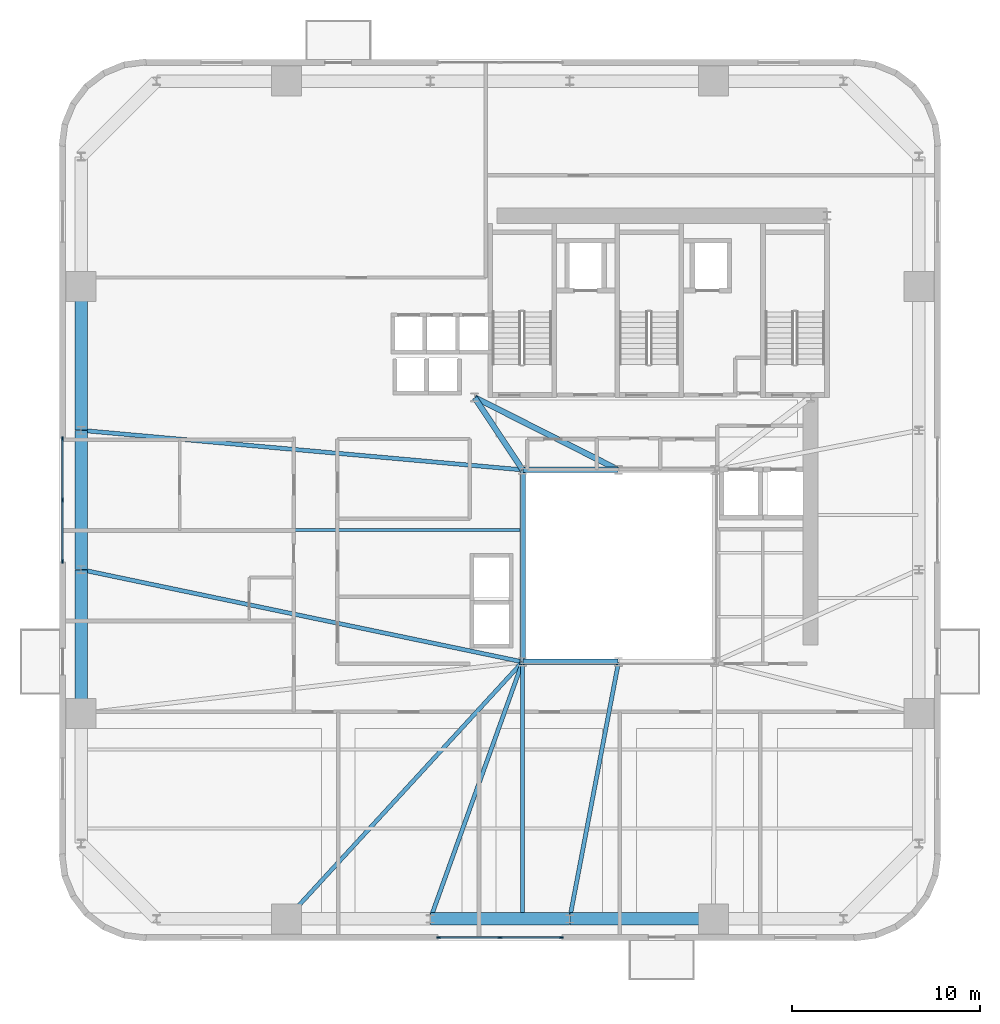
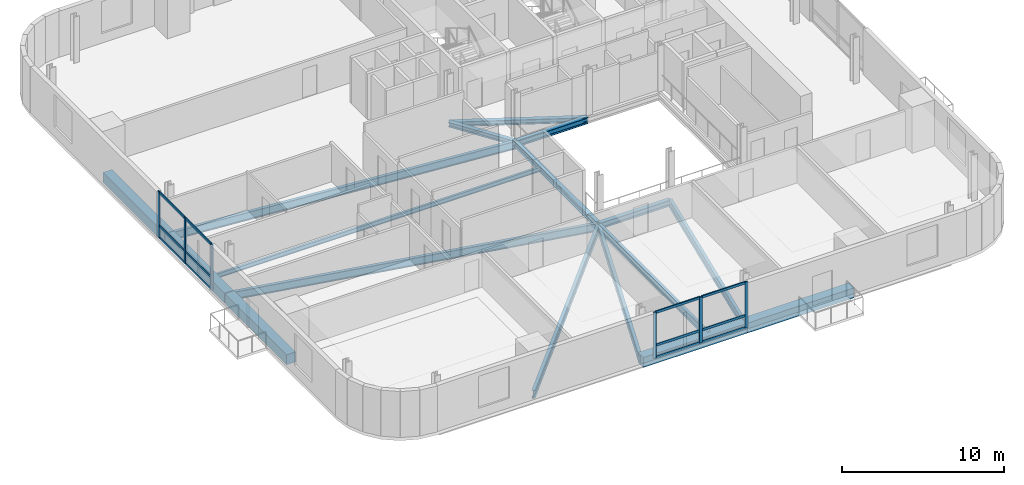
# One storey, part 2 of 13: 18 members, 17 beams, 2 elements without a shape of their own.
"""IFC4 building model written with IfcOpenShell, lengths in metres."""

from ifc_helpers import new_model, si_unit, direction, frame, origin, origin_2d, place, context, subcontext, project, spatial, rectangle, i_section, extrude, source, transform, mapped, material, material_profile, profile_set, type_object, element, aggregate, save


model = new_model("IFC4")

# Units and contexts
model_context = context("Model", 3, precision=1e-05, world=origin(), true_north=direction((0.0, 1.0)))
body_context = subcontext(model_context, "Body", "Model", "MODEL_VIEW")
ifc_project = project(units=[si_unit("LENGTHUNIT", "METRE"), si_unit("AREAUNIT", "SQUARE_METRE"), si_unit("VOLUMEUNIT", "CUBIC_METRE"), si_unit("PLANEANGLEUNIT", "RADIAN"), si_unit("MASSUNIT", "GRAM", prefix="KILO")], contexts=[model_context])

# Site, building, storey
site_placement = place(None, origin())
site = spatial("IfcSite", under=ifc_project, at=site_placement, CompositionType="ELEMENT")
building_placement = place(site_placement, origin())
building = spatial("IfcBuilding", under=site, at=building_placement, Name="Vardaveli Station Tower", CompositionType="ELEMENT")
storey_placement = place(building_placement, frame((0.0, 0.0, 115.0)))
storey = spatial("IfcBuildingStorey", under=building, at=storey_placement, Name="L29", CompositionType="ELEMENT", Elevation=115.0)

# Beams
ifc_material_1 = material(Name="Structural steel S355J2", Category="steel")
ifc_material_profile_1 = material_profile(ifc_material_1, i_section(OverallWidth=0.300048828125, OverallDepth=0.449951171875, WebThickness=0.013916015625, FlangeThickness=0.02587890625, FilletRadius=0.027099609375, at=origin_2d()), Name="HEB 450")
ifc_profile_set_1 = profile_set([ifc_material_profile_1], Name="Structural steel S355J2")
beam_type_1 = type_object("IfcBeamType", Name="BM-HEB450", PredefinedType="BEAM", material=ifc_profile_set_1)
shared_shape_1 = source(origin(), body_context, "Body", "SweptSolid", [
    extrude(i_section(OverallWidth=0.300048828125, OverallDepth=0.449951171875, WebThickness=0.013916015625, FlangeThickness=0.02587890625, FilletRadius=0.027099609375, at=origin_2d()), origin(), (0.0, 0.0, 1.0), 5.06005859375),
])
for number, where, z_axis, x_axis, name in (
    (1, (31.219970703125, 16.60009765625, -0.465087890625), (1.0, 0.0, 0.0), (0.0, 1.0, 0.0), "ABM-L29-01"),
    (2, (36.280029296875, 26.800048828125, -0.465087890625), (-1.0, 0.0, 0.0), (0.0, -1.0, 0.0), "ABM-L29-05"),
):
    element("IfcBeam", number, at=place(storey_placement, frame(where, z_axis=z_axis, x_axis=x_axis)), inside=storey, type_object=beam_type_1, Name=name, PredefinedType="BEAM", context=body_context, shape_type="MappedRepresentation", body=[
        mapped(shared_shape_1, transform((0.0, 0.0, 0.0), scale=1.0)),
    ])
shared_shape_2 = source(origin(), body_context, "Body", "SweptSolid", [
    extrude(i_section(OverallWidth=0.300048828125, OverallDepth=0.449951171875, WebThickness=0.013916015625, FlangeThickness=0.02587890625, FilletRadius=0.027099609375, at=origin_2d()), origin(), (0.0, 0.0, 1.0), 10.159912109375),
])
beam_1_placement = place(storey_placement, frame((31.199951171875, 26.780029296875, -0.465087890625), z_axis=(0.0, -1.0, 0.0), x_axis=(1.0, 0.0, 0.0)))
element("IfcBeam", 3, at=beam_1_placement, inside=storey, type_object=beam_type_1, Name="ABM-L29-06", PredefinedType="BEAM", context=body_context, shape_type="MappedRepresentation", body=[
    mapped(shared_shape_2, transform((0.0, 0.0, 0.0), scale=1.0)),
])
ifc_material_profile_2 = material_profile(ifc_material_1, i_section(OverallWidth=0.300048828125, OverallDepth=0.360107421875, WebThickness=0.012451171875, FlangeThickness=0.0224609375, FilletRadius=0.027099609375, at=origin_2d()), Name="HEB 360")
ifc_profile_set_2 = profile_set([ifc_material_profile_2], Name="Structural steel S355J2")
beam_type_2 = type_object("IfcBeamType", Name="BM-HEB360", PredefinedType="BEAM", material=ifc_profile_set_2)
shared_shape_3 = source(origin(), body_context, "Body", "SweptSolid", [
    extrude(i_section(OverallWidth=0.300048828125, OverallDepth=0.360107421875, WebThickness=0.012451171875, FlangeThickness=0.0224609375, FilletRadius=0.027099609375, at=origin_2d()), origin(), (0.0, 0.0, 1.0), 4.577880859375),
])
beam_2_placement = place(storey_placement, frame((31.18896484375, 26.816650390625, -0.419921875), z_axis=(-0.55218702139, 0.833720272879, 0.0), x_axis=(-0.833720272879, -0.55218702139, 0.0)))
element("IfcBeam", 4, at=beam_2_placement, inside=storey, type_object=beam_type_2, Name="CBM-L29-01", PredefinedType="BEAM", context=body_context, shape_type="MappedRepresentation", body=[
    mapped(shared_shape_3, transform((0.0, 0.0, 0.0), scale=1.0)),
])
shared_shape_4 = source(origin(), body_context, "Body", "SweptSolid", [
    extrude(i_section(OverallWidth=0.300048828125, OverallDepth=0.360107421875, WebThickness=0.012451171875, FlangeThickness=0.0224609375, FilletRadius=0.027099609375, at=origin_2d()), origin(), (0.0, 0.0, 1.0), 8.524169921875),
])
beam_3_placement = place(storey_placement, frame((28.66796875, 30.64111328125, -0.419921875), z_axis=(0.893255584708, -0.449549174605, 0.0), x_axis=(0.449549174605, 0.893255584708, 0.0)))
element("IfcBeam", 5, at=beam_3_placement, inside=storey, type_object=beam_type_2, Name="CBM-L29-03", PredefinedType="BEAM", context=body_context, shape_type="MappedRepresentation", body=[
    mapped(shared_shape_4, transform((0.0, 0.0, 0.0), scale=1.0)),
])
ifc_material_2 = material(Name="Precast concrete C45/55", Category="concrete")
ifc_material_profile_3 = material_profile(ifc_material_2, rectangle(XDim=0.64990234375, YDim=0.75, at=origin_2d()), Name="LPB 650x750")
ifc_profile_set_3 = profile_set([ifc_material_profile_3], Name="Precast concrete C45/55")
beam_type_3 = type_object("IfcBeamType", Name="BM-LPB-750", PredefinedType="BEAM", material=ifc_profile_set_3)
shared_shape_5 = source(origin(), body_context, "Body", "SweptSolid", [
    extrude(rectangle(XDim=0.64990234375, YDim=0.75, at=origin_2d()), origin(), (0.0, 0.0, 1.0), 7.60009765625),
])
for number, where, z_axis, x_axis, name in (
    (6, (33.719970703125, 2.949951171875, -0.614990234375), (1.0, 0.0, 0.0), (0.0, 1.0, 0.0), "RBM-L29-03"),
    (7, (7.75, 36.52001953125, -0.614990234375), (0.0, -1.0, 0.0), (1.0, 0.0, 0.0), "RBM-L29-19"),
    (8, (7.75, 21.47998046875, -0.614990234375), (0.0, -1.0, 0.0), (1.0, 0.0, 0.0), "RBM-L29-21"),
):
    element("IfcBeam", number, at=place(storey_placement, frame(where, z_axis=z_axis, x_axis=x_axis)), inside=storey, type_object=beam_type_3, Name=name, PredefinedType="BEAM", context=body_context, shape_type="MappedRepresentation", body=[
        mapped(shared_shape_5, transform((0.0, 0.0, 0.0), scale=1.0)),
    ])
shared_shape_6 = source(origin(), body_context, "Body", "SweptSolid", [
    extrude(rectangle(XDim=0.64990234375, YDim=0.75, at=origin_2d()), origin(), (0.0, 0.0, 1.0), 7.35986328125),
])
for number, where, z_axis, x_axis, name in (
    (9, (26.320068359375, 2.949951171875, -0.614990234375), (1.0, 0.0, 0.0), (0.0, 1.0, 0.0), "RBM-L29-02"),
    (10, (7.75, 28.8798828125, -0.614990234375), (0.0, -1.0, 0.0), (1.0, 0.0, 0.0), "RBM-L29-20"),
):
    element("IfcBeam", number, at=place(storey_placement, frame(where, z_axis=z_axis, x_axis=x_axis)), inside=storey, type_object=beam_type_3, Name=name, PredefinedType="BEAM", context=body_context, shape_type="MappedRepresentation", body=[
        mapped(shared_shape_6, transform((0.0, 0.0, 0.0), scale=1.0)),
    ])
ifc_material_profile_4 = material_profile(ifc_material_1, i_section(OverallWidth=0.2099609375, OverallDepth=0.550048828125, WebThickness=0.010986328125, FlangeThickness=0.01708984375, FilletRadius=0.02392578125, at=origin_2d()), Name="IPE 550")
ifc_profile_set_4 = profile_set([ifc_material_profile_4], Name="Structural steel S355J2")
beam_type_4 = type_object("IfcBeamType", Name="BM-IPE550", PredefinedType="BEAM", material=ifc_profile_set_4)
shared_shape_7 = source(origin(), body_context, "Body", "SweptSolid", [
    extrude(i_section(OverallWidth=0.2099609375, OverallDepth=0.550048828125, WebThickness=0.010986328125, FlangeThickness=0.01708984375, FilletRadius=0.02392578125, at=origin_2d()), origin(), (0.0, 0.0, 1.0), 13.469970703125),
])
beam_4_placement = place(storey_placement, frame((31.199951171875, 2.989990234375, -0.514892578125), z_axis=(0.0, 1.0, 0.0), x_axis=(-1.0, 0.0, 0.0)))
element("IfcBeam", 11, at=beam_4_placement, inside=storey, type_object=beam_type_4, Name="NSM-L29-S1", PredefinedType="BEAM", context=body_context, shape_type="MappedRepresentation", body=[
    mapped(shared_shape_7, transform((0.0, 0.0, 0.0), scale=1.0)),
])
ifc_material_profile_5 = material_profile(ifc_material_1, i_section(OverallWidth=0.159912109375, OverallDepth=0.330078125, WebThickness=0.007568359375, FlangeThickness=0.011474609375, FilletRadius=0.01806640625, at=origin_2d()), Name="IPE 330")
ifc_profile_set_5 = profile_set([ifc_material_profile_5], Name="Structural steel S355J2")
beam_type_5 = type_object("IfcBeamType", Name="BM-IPE330", PredefinedType="JOIST", material=ifc_profile_set_5)
shared_shape_8 = source(origin(), body_context, "Body", "SweptSolid", [
    extrude(i_section(OverallWidth=0.159912109375, OverallDepth=0.330078125, WebThickness=0.007568359375, FlangeThickness=0.011474609375, FilletRadius=0.01806640625, at=origin_2d()), origin(), (0.0, 0.0, 1.0), 23.2978515625),
])
beam_5_placement = place(storey_placement, frame((7.7900390625, 23.60009765625, -0.405029296875), z_axis=(1.0, 0.0, 0.0), x_axis=(0.0, 1.0, 0.0)))
element("IfcBeam", 12, at=beam_5_placement, inside=storey, type_object=beam_type_5, Name="SJ-L29-W06", PredefinedType="JOIST", context=body_context, shape_type="MappedRepresentation", body=[
    mapped(shared_shape_8, transform((0.0, 0.0, 0.0), scale=1.0)),
])
ifc_material_profile_6 = material_profile(ifc_material_1, i_section(OverallWidth=0.219970703125, OverallDepth=0.60009765625, WebThickness=0.011962890625, FlangeThickness=0.01904296875, FilletRadius=0.02392578125, at=origin_2d()), Name="IPE 600")
ifc_profile_set_6 = profile_set([ifc_material_profile_6], Name="Structural steel S355J2")
beam_type_6 = type_object("IfcBeamType", Name="BM-IPE600", PredefinedType="BEAM", material=ifc_profile_set_6)
shared_shape_9 = source(origin(), body_context, "Body", "SweptSolid", [
    extrude(i_section(OverallWidth=0.219970703125, OverallDepth=0.60009765625, WebThickness=0.011962890625, FlangeThickness=0.01904296875, FilletRadius=0.02392578125, at=origin_2d()), origin(), (0.0, 0.0, 1.0), 18.49560546875),
])
beam_6_placement = place(storey_placement, frame((18.673583984375, 2.96484375, -0.5400390625), z_axis=(0.676535341891, 0.736410165039, 0.0), x_axis=(-0.736410165039, 0.676535341891, 0.0)))
element("IfcBeam", 13, at=beam_6_placement, inside=storey, type_object=beam_type_6, Name="GBM-L29-01", PredefinedType="BEAM", context=body_context, shape_type="MappedRepresentation", body=[
    mapped(shared_shape_9, transform((0.0, 0.0, 0.0), scale=1.0)),
])
shared_shape_10 = source(origin(), body_context, "Body", "SweptSolid", [
    extrude(i_section(OverallWidth=0.219970703125, OverallDepth=0.60009765625, WebThickness=0.011962890625, FlangeThickness=0.01904296875, FilletRadius=0.02392578125, at=origin_2d()), origin(), (0.0, 0.0, 1.0), 14.462890625),
])
beam_7_placement = place(storey_placement, frame((26.306640625, 2.96875, -0.5400390625), z_axis=(0.337880090533, 0.941189165057, 0.0), x_axis=(-0.941189165057, 0.337880090533, 0.0)))
element("IfcBeam", 14, at=beam_7_placement, inside=storey, type_object=beam_type_6, Name="GBM-L29-02", PredefinedType="BEAM", context=body_context, shape_type="MappedRepresentation", body=[
    mapped(shared_shape_10, transform((0.0, 0.0, 0.0), scale=1.0)),
])
shared_shape_11 = source(origin(), body_context, "Body", "SweptSolid", [
    extrude(i_section(OverallWidth=0.219970703125, OverallDepth=0.60009765625, WebThickness=0.011962890625, FlangeThickness=0.01904296875, FilletRadius=0.02392578125, at=origin_2d()), origin(), (0.0, 0.0, 1.0), 13.855224609375),
])
beam_8_placement = place(storey_placement, frame((33.703857421875, 2.9697265625, -0.5400390625), z_axis=(0.187097533125, 0.982341342456, 0.0), x_axis=(-0.982341342456, 0.187097533125, 0.0)))
element("IfcBeam", 15, at=beam_8_placement, inside=storey, type_object=beam_type_6, Name="GBM-L29-03", PredefinedType="BEAM", context=body_context, shape_type="MappedRepresentation", body=[
    mapped(shared_shape_11, transform((0.0, 0.0, 0.0), scale=1.0)),
])
shared_shape_12 = source(origin(), body_context, "Body", "SweptSolid", [
    extrude(i_section(OverallWidth=0.219970703125, OverallDepth=0.60009765625, WebThickness=0.011962890625, FlangeThickness=0.01904296875, FilletRadius=0.02392578125, at=origin_2d()), origin(), (0.0, 0.0, 1.0), 23.50390625),
])
beam_9_placement = place(storey_placement, frame((7.77001953125, 28.898193359375, -0.5400390625), z_axis=(0.996014142198, -0.08919545135, 0.0), x_axis=(0.08919545135, 0.996014142198, 0.0)))
element("IfcBeam", 16, at=beam_9_placement, inside=storey, type_object=beam_type_6, Name="GBM-L29-08", PredefinedType="BEAM", context=body_context, shape_type="MappedRepresentation", body=[
    mapped(shared_shape_12, transform((0.0, 0.0, 0.0), scale=1.0)),
])
shared_shape_13 = source(origin(), body_context, "Body", "SweptSolid", [
    extrude(i_section(OverallWidth=0.219970703125, OverallDepth=0.60009765625, WebThickness=0.011962890625, FlangeThickness=0.01904296875, FilletRadius=0.02392578125, at=origin_2d()), origin(), (0.0, 0.0, 1.0), 23.91650390625),
])
beam_10_placement = place(storey_placement, frame((7.76953125, 21.495849609375, -0.5400390625), z_axis=(0.978858547354, -0.204538368703, 0.0), x_axis=(0.204538368703, 0.978858547354, 0.0)))
element("IfcBeam", 17, at=beam_10_placement, inside=storey, type_object=beam_type_6, Name="GBM-L29-09", PredefinedType="BEAM", context=body_context, shape_type="MappedRepresentation", body=[
    mapped(shared_shape_13, transform((0.0, 0.0, 0.0), scale=1.0)),
])

# Curtain wall, members
ifc_material_3 = material(Name="Travertine stone and solar-control glass", Category="masonry")
curtain_wall_type = type_object("IfcCurtainWallType", Name="CW-SYS-2", PredefinedType="NOTDEFINED", material=ifc_material_3)
curtain_wall_1_placement = place(storey_placement, origin())
curtain_wall_1 = element("IfcCurtainWall", 18, at=curtain_wall_1_placement, inside=storey, type_object=curtain_wall_type, Name="CW-L29-S", PredefinedType="NOTDEFINED")
ifc_material_4 = material(Name="Anodised aluminium alloy 6063-T6", Category="aluminium")
ifc_material_profile_7 = material_profile(ifc_material_4, rectangle(XDim=0.0849609375, YDim=0.179931640625, at=origin_2d()), Name="CWT 85x180")
ifc_profile_set_7 = profile_set([ifc_material_profile_7], Name="Anodised aluminium alloy 6063-T6")
member_type_1 = type_object("IfcMemberType", Name="CW-SYS-2-TRAN", PredefinedType="NOTDEFINED", material=ifc_profile_set_7)
shared_shape_14 = source(origin(), body_context, "Body", "SweptSolid", [
    extrude(rectangle(XDim=0.0849609375, YDim=0.179931640625, at=origin_2d()), origin(), (0.0, 0.0, 1.0), 3.172607421875),
])
member_1_placement = place(storey_placement, frame((26.784912109375, 1.9599609375, 0.04248046875), z_axis=(1.0, 0.0, 0.0), x_axis=(0.0, 1.0, 0.0)))
member_1 = element("IfcMember", 19, at=member_1_placement, type_object=member_type_1, Name="CW-2 transom 1.1", ObjectType="TRANSOM", PredefinedType="USERDEFINED", context=body_context, shape_type="MappedRepresentation", body=[
    mapped(shared_shape_14, transform((0.0, 0.0, 0.0), scale=1.0)),
])
member_2_placement = place(storey_placement, frame((26.784912109375, 1.9599609375, 0.949951171875), z_axis=(1.0, 0.0, 0.0), x_axis=(0.0, 1.0, 0.0)))
member_2 = element("IfcMember", 20, at=member_2_placement, type_object=member_type_1, Name="CW-2 transom 1.2", ObjectType="TRANSOM", PredefinedType="USERDEFINED", context=body_context, shape_type="MappedRepresentation", body=[
    mapped(shared_shape_14, transform((0.0, 0.0, 0.0), scale=1.0)),
])
member_3_placement = place(storey_placement, frame((26.784912109375, 1.9599609375, 3.41748046875), z_axis=(1.0, 0.0, 0.0), x_axis=(0.0, 1.0, 0.0)))
member_3 = element("IfcMember", 21, at=member_3_placement, type_object=member_type_1, Name="CW-2 transom 1.3", ObjectType="TRANSOM", PredefinedType="USERDEFINED", context=body_context, shape_type="MappedRepresentation", body=[
    mapped(shared_shape_14, transform((0.0, 0.0, 0.0), scale=1.0)),
])
member_4_placement = place(storey_placement, frame((30.04248046875, 1.9599609375, 0.04248046875), z_axis=(1.0, 0.0, 0.0), x_axis=(0.0, 1.0, 0.0)))
member_4 = element("IfcMember", 22, at=member_4_placement, type_object=member_type_1, Name="CW-2 transom 2.1", ObjectType="TRANSOM", PredefinedType="USERDEFINED", context=body_context, shape_type="MappedRepresentation", body=[
    mapped(shared_shape_14, transform((0.0, 0.0, 0.0), scale=1.0)),
])
member_5_placement = place(storey_placement, frame((30.04248046875, 1.9599609375, 0.949951171875), z_axis=(1.0, 0.0, 0.0), x_axis=(0.0, 1.0, 0.0)))
member_5 = element("IfcMember", 23, at=member_5_placement, type_object=member_type_1, Name="CW-2 transom 2.2", ObjectType="TRANSOM", PredefinedType="USERDEFINED", context=body_context, shape_type="MappedRepresentation", body=[
    mapped(shared_shape_14, transform((0.0, 0.0, 0.0), scale=1.0)),
])
member_6_placement = place(storey_placement, frame((30.04248046875, 1.9599609375, 3.41748046875), z_axis=(1.0, 0.0, 0.0), x_axis=(0.0, 1.0, 0.0)))
member_6 = element("IfcMember", 24, at=member_6_placement, type_object=member_type_1, Name="CW-2 transom 2.3", ObjectType="TRANSOM", PredefinedType="USERDEFINED", context=body_context, shape_type="MappedRepresentation", body=[
    mapped(shared_shape_14, transform((0.0, 0.0, 0.0), scale=1.0)),
])

curtain_wall_2_placement = place(storey_placement, origin())
curtain_wall_2 = element("IfcCurtainWall", 25, at=curtain_wall_2_placement, inside=storey, type_object=curtain_wall_type, Name="CW-L29-W", PredefinedType="NOTDEFINED")
member_7_placement = place(storey_placement, frame((6.760009765625, 28.4150390625, 0.04248046875), z_axis=(0.0, -1.0, 0.0), x_axis=(1.0, 0.0, 0.0)))
member_7 = element("IfcMember", 26, at=member_7_placement, type_object=member_type_1, Name="CW-2 transom 1.1", ObjectType="TRANSOM", PredefinedType="USERDEFINED", context=body_context, shape_type="MappedRepresentation", body=[
    mapped(shared_shape_14, transform((0.0, 0.0, 0.0), scale=1.0)),
])
member_8_placement = place(storey_placement, frame((6.760009765625, 28.4150390625, 0.949951171875), z_axis=(0.0, -1.0, 0.0), x_axis=(1.0, 0.0, 0.0)))
member_8 = element("IfcMember", 27, at=member_8_placement, type_object=member_type_1, Name="CW-2 transom 1.2", ObjectType="TRANSOM", PredefinedType="USERDEFINED", context=body_context, shape_type="MappedRepresentation", body=[
    mapped(shared_shape_14, transform((0.0, 0.0, 0.0), scale=1.0)),
])
member_9_placement = place(storey_placement, frame((6.760009765625, 28.4150390625, 3.41748046875), z_axis=(0.0, -1.0, 0.0), x_axis=(1.0, 0.0, 0.0)))
member_9 = element("IfcMember", 28, at=member_9_placement, type_object=member_type_1, Name="CW-2 transom 1.3", ObjectType="TRANSOM", PredefinedType="USERDEFINED", context=body_context, shape_type="MappedRepresentation", body=[
    mapped(shared_shape_14, transform((0.0, 0.0, 0.0), scale=1.0)),
])
shared_shape_15 = source(origin(), body_context, "Body", "SweptSolid", [
    extrude(rectangle(XDim=0.0849609375, YDim=0.179931640625, at=origin_2d()), origin(), (0.0, 0.0, 1.0), 3.17236328125),
])
member_10_placement = place(storey_placement, frame((6.760009765625, 25.157470703125, 0.04248046875), z_axis=(0.0, -1.0, 0.0), x_axis=(1.0, 0.0, 0.0)))
member_10 = element("IfcMember", 29, at=member_10_placement, type_object=member_type_1, Name="CW-2 transom 2.1", ObjectType="TRANSOM", PredefinedType="USERDEFINED", context=body_context, shape_type="MappedRepresentation", body=[
    mapped(shared_shape_15, transform((0.0, 0.0, 0.0), scale=1.0)),
])
member_11_placement = place(storey_placement, frame((6.760009765625, 25.157470703125, 0.949951171875), z_axis=(0.0, -1.0, 0.0), x_axis=(1.0, 0.0, 0.0)))
member_11 = element("IfcMember", 30, at=member_11_placement, type_object=member_type_1, Name="CW-2 transom 2.2", ObjectType="TRANSOM", PredefinedType="USERDEFINED", context=body_context, shape_type="MappedRepresentation", body=[
    mapped(shared_shape_15, transform((0.0, 0.0, 0.0), scale=1.0)),
])
member_12_placement = place(storey_placement, frame((6.760009765625, 25.157470703125, 3.41748046875), z_axis=(0.0, -1.0, 0.0), x_axis=(1.0, 0.0, 0.0)))
member_12 = element("IfcMember", 31, at=member_12_placement, type_object=member_type_1, Name="CW-2 transom 2.3", ObjectType="TRANSOM", PredefinedType="USERDEFINED", context=body_context, shape_type="MappedRepresentation", body=[
    mapped(shared_shape_15, transform((0.0, 0.0, 0.0), scale=1.0)),
])

# Member
ifc_material_profile_8 = material_profile(ifc_material_4, rectangle(XDim=0.0849609375, YDim=0.219970703125, at=origin_2d()), Name="CWM 85x220")
ifc_profile_set_8 = profile_set([ifc_material_profile_8], Name="Anodised aluminium alloy 6063-T6")
member_type_2 = type_object("IfcMemberType", Name="CW-SYS-2-MULL", PredefinedType="MULLION", material=ifc_profile_set_8)
shared_shape_16 = source(origin(), body_context, "Body", "SweptSolid", [
    extrude(rectangle(XDim=0.0849609375, YDim=0.219970703125, at=origin_2d()), origin(), (0.0, 0.0, 1.0), 3.4599609375),
])
member_13_placement = place(storey_placement, frame((26.742431640625, 1.9599609375, 0.0), z_axis=(0.0, 0.0, 1.0), x_axis=(0.0, 1.0, 0.0)))
member_13 = element("IfcMember", 32, at=member_13_placement, type_object=member_type_2, Name="CW-2 mullion 1", PredefinedType="MULLION", context=body_context, shape_type="MappedRepresentation", body=[
    mapped(shared_shape_16, transform((0.0, 0.0, 0.0), scale=1.0)),
])

member_14_placement = place(storey_placement, frame((30.0, 1.9599609375, 0.0), z_axis=(0.0, 0.0, 1.0), x_axis=(0.0, 1.0, 0.0)))
member_14 = element("IfcMember", 33, at=member_14_placement, type_object=member_type_2, Name="CW-2 mullion 2", PredefinedType="MULLION", context=body_context, shape_type="MappedRepresentation", body=[
    mapped(shared_shape_16, transform((0.0, 0.0, 0.0), scale=1.0)),
])

member_15_placement = place(storey_placement, frame((33.257568359375, 1.9599609375, 0.0), z_axis=(0.0, 0.0, 1.0), x_axis=(0.0, 1.0, 0.0)))
member_15 = element("IfcMember", 34, at=member_15_placement, type_object=member_type_2, Name="CW-2 mullion 3", PredefinedType="MULLION", context=body_context, shape_type="MappedRepresentation", body=[
    mapped(shared_shape_16, transform((0.0, 0.0, 0.0), scale=1.0)),
])

aggregate(curtain_wall_1, [member_13, member_14, member_15, member_1, member_2, member_3, member_4, member_5, member_6])

member_16_placement = place(storey_placement, frame((6.760009765625, 28.45751953125, 0.0), z_axis=(0.0, 0.0, 1.0), x_axis=(1.0, 0.0, 0.0)))
member_16 = element("IfcMember", 35, at=member_16_placement, type_object=member_type_2, Name="CW-2 mullion 1", PredefinedType="MULLION", context=body_context, shape_type="MappedRepresentation", body=[
    mapped(shared_shape_16, transform((0.0, 0.0, 0.0), scale=1.0)),
])

member_17_placement = place(storey_placement, frame((6.760009765625, 25.199951171875, 0.0), z_axis=(0.0, 0.0, 1.0), x_axis=(1.0, 0.0, 0.0)))
member_17 = element("IfcMember", 36, at=member_17_placement, type_object=member_type_2, Name="CW-2 mullion 2", PredefinedType="MULLION", context=body_context, shape_type="MappedRepresentation", body=[
    mapped(shared_shape_16, transform((0.0, 0.0, 0.0), scale=1.0)),
])

member_18_placement = place(storey_placement, frame((6.760009765625, 21.9423828125, 0.0), z_axis=(0.0, 0.0, 1.0), x_axis=(1.0, 0.0, 0.0)))
member_18 = element("IfcMember", 37, at=member_18_placement, type_object=member_type_2, Name="CW-2 mullion 3", PredefinedType="MULLION", context=body_context, shape_type="MappedRepresentation", body=[
    mapped(shared_shape_16, transform((0.0, 0.0, 0.0), scale=1.0)),
])

aggregate(curtain_wall_2, [member_16, member_17, member_18, member_7, member_8, member_9, member_10, member_11, member_12])

save(model, "model.ifc")
